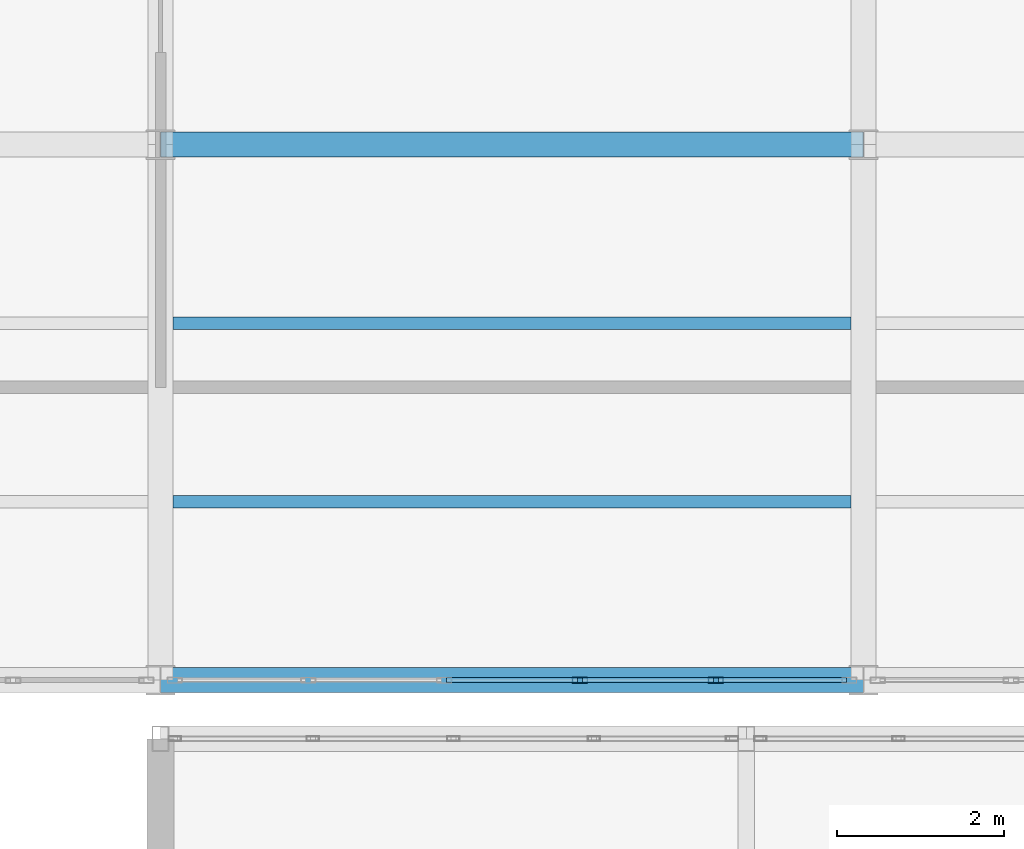
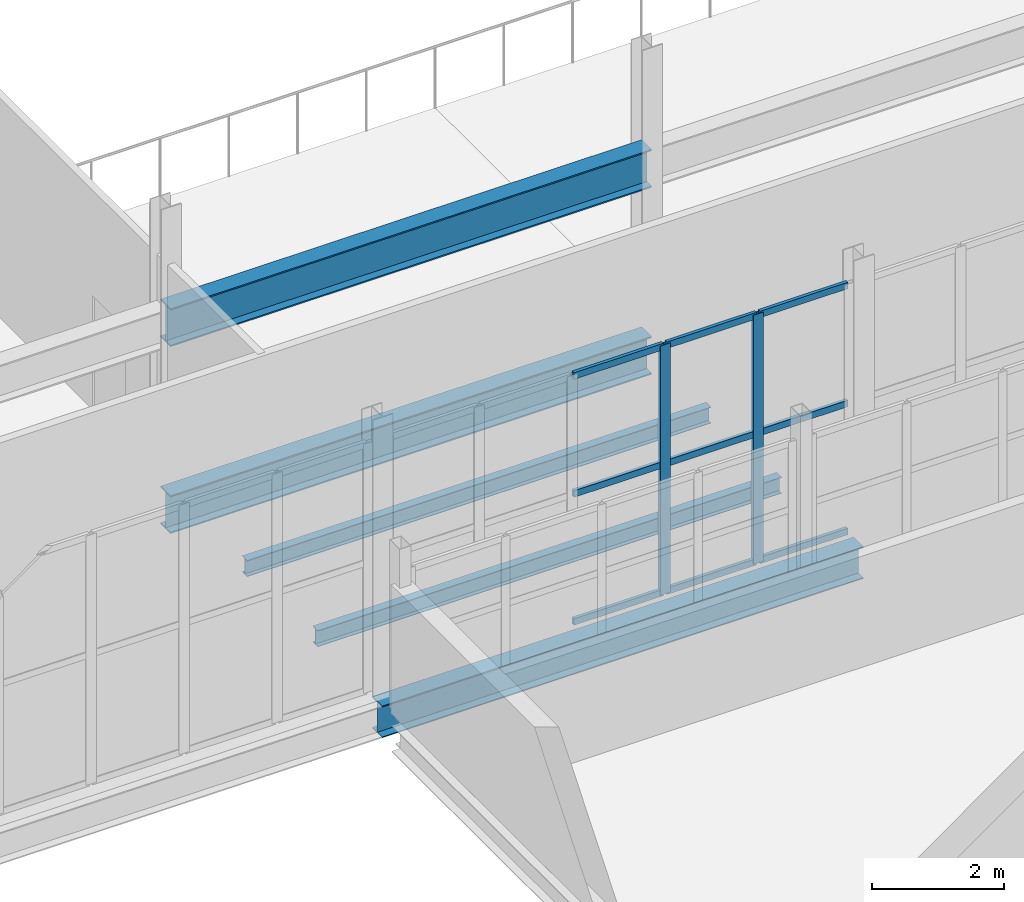
# One storey, part 73 of 218: 11 members, 5 beams, 1 element without a shape of its own.
"""IFC4 building model written with IfcOpenShell, lengths in metres."""

from ifc_helpers import new_model, si_unit, direction, frame, origin, origin_2d, place, context, subcontext, project, spatial, hollow_rectangle, i_section, extrude, material, material_profile, profile_set, type_object, element, aggregate, save


model = new_model("IFC4")

# Units and contexts
model_context = context("Model", 3, precision=1e-05, world=origin(), true_north=direction((0.0, 1.0)))
body_context = subcontext(model_context, "Body", "Model", "MODEL_VIEW")
ifc_project = project(units=[si_unit("LENGTHUNIT", "METRE"), si_unit("AREAUNIT", "SQUARE_METRE"), si_unit("VOLUMEUNIT", "CUBIC_METRE"), si_unit("PLANEANGLEUNIT", "RADIAN"), si_unit("MASSUNIT", "GRAM", prefix="KILO")], contexts=[model_context])

# Site, building, storey
site_placement = place(None, origin())
site = spatial("IfcSite", under=ifc_project, at=site_placement, CompositionType="ELEMENT")
building_placement = place(site_placement, origin())
building = spatial("IfcBuilding", under=site, at=building_placement, Name="Kazenagashi Tramway Depot", CompositionType="ELEMENT")
storey_placement = place(building_placement, frame((0.0, 0.0, 6.0)))
storey = spatial("IfcBuildingStorey", under=building, at=storey_placement, Name="L02", CompositionType="ELEMENT", Elevation=6.0)

# Beams
ifc_material_1 = material(Name="Steel SN490B", Category="steel")
ifc_material_profile_1 = material_profile(ifc_material_1, i_section(OverallWidth=0.3, OverallDepth=0.7, WebThickness=0.013, FlangeThickness=0.024, at=origin_2d()), Name="H-700x300x13x24")
ifc_profile_set_1 = profile_set([ifc_material_profile_1], Name="Steel SN490B")
beam_type_1 = type_object("IfcBeamType", Name="G-02", PredefinedType="BEAM", material=ifc_profile_set_1)
for number, where, z_axis, x_axis, name in (
    (1, (103.6, 22.9, -0.6), (1.0, 0.0, 0.0), (0.0, 1.0, 0.0), "Beam G-02 BM-1013"),
    (2, (103.6, 22.9, 2.85), (1.0, 0.0, 0.0), (0.0, 1.0, 0.0), "Beam G-02 BM-1156"),
):
    element("IfcBeam", number, at=place(storey_placement, frame(where, z_axis=z_axis, x_axis=x_axis)), inside=storey, type_object=beam_type_1, Name=name, PredefinedType="BEAM", context=body_context, shape_type="SweptSolid", body=[
        extrude(i_section(OverallWidth=0.3, OverallDepth=0.7, WebThickness=0.013, FlangeThickness=0.024, at=origin_2d()), origin(), (0.0, 0.0, 1.0), 8.4),
    ])
ifc_material_2 = material(Name="Steel SN400B", Category="steel")
ifc_material_profile_2 = material_profile(ifc_material_2, i_section(OverallWidth=0.15, OverallDepth=0.3, WebThickness=0.0065, FlangeThickness=0.009, at=origin_2d()), Name="H-300x150x6.5x9")
ifc_profile_set_2 = profile_set([ifc_material_profile_2], Name="Steel SN400B")
beam_type_2 = type_object("IfcBeamType", Name="J-02", PredefinedType="JOIST", material=ifc_profile_set_2)
for number, where, z_axis, x_axis, name in (
    (3, (103.75, 18.633, -0.4), (1.0, 0.0, 0.0), (0.0, 1.0, 0.0), "Beam J-02 BM-1072"),
    (4, (103.75, 20.767, -0.4), (1.0, 0.0, 0.0), (0.0, 1.0, 0.0), "Beam J-02 BM-1073"),
):
    element("IfcBeam", number, at=place(storey_placement, frame(where, z_axis=z_axis, x_axis=x_axis)), inside=storey, type_object=beam_type_2, Name=name, PredefinedType="JOIST", context=body_context, shape_type="SweptSolid", body=[
        extrude(i_section(OverallWidth=0.15, OverallDepth=0.3, WebThickness=0.0065, FlangeThickness=0.009, at=origin_2d()), origin(), (0.0, 0.0, 1.0), 8.1),
    ])

# Curtain wall, members
ifc_material_3 = material(Name="Anodised Aluminium and Low-E Glazing", Category="aluminium")
curtain_wall_type = type_object("IfcCurtainWallType", Name="CW-20", PredefinedType="USERDEFINED", material=ifc_material_3)
curtain_wall_placement = place(storey_placement, origin())
curtain_wall = element("IfcCurtainWall", 5, at=curtain_wall_placement, inside=storey, type_object=curtain_wall_type, Name="Industrial Glazed Screen CW-20 CW-0102", ObjectType="GLAZED SCREEN", PredefinedType="USERDEFINED")
ifc_material_4 = material(Name="Anodised Aluminium", Category="aluminium")
ifc_material_profile_3 = material_profile(ifc_material_4, hollow_rectangle(XDim=0.07, YDim=0.18, WallThickness=0.005, at=origin_2d()), Name="RHS-180x70x5")
ifc_profile_set_3 = profile_set([ifc_material_profile_3], Name="Anodised Aluminium")
member_type_1 = type_object("IfcMemberType", Name="ML-02", PredefinedType="MULLION", material=ifc_profile_set_3)
member_1_placement = place(storey_placement, frame((108.612, 16.5, 0.0), z_axis=(0.0, 0.0, 1.0), x_axis=(0.0, 1.0, 0.0)))
member_1 = element("IfcMember", 6, at=member_1_placement, type_object=member_type_1, Name="CW-20 mullion 4", PredefinedType="MULLION", context=body_context, shape_type="SweptSolid", body=[
    extrude(hollow_rectangle(XDim=0.07, YDim=0.18, WallThickness=0.005, at=origin_2d()), origin(), (0.0, 0.0, 1.0), 4.6),
])
member_2_placement = place(storey_placement, frame((110.236, 16.5, 0.0), z_axis=(0.0, 0.0, 1.0), x_axis=(0.0, 1.0, 0.0)))
member_2 = element("IfcMember", 7, at=member_2_placement, type_object=member_type_1, Name="CW-20 mullion 5", PredefinedType="MULLION", context=body_context, shape_type="SweptSolid", body=[
    extrude(hollow_rectangle(XDim=0.07, YDim=0.18, WallThickness=0.005, at=origin_2d()), origin(), (0.0, 0.0, 1.0), 4.6),
])

# Beam
ifc_material_profile_4 = material_profile(ifc_material_1, i_section(OverallWidth=0.3, OverallDepth=0.588, WebThickness=0.012, FlangeThickness=0.02, at=origin_2d()), Name="H-588x300x12x20")
ifc_profile_set_4 = profile_set([ifc_material_profile_4], Name="Steel SN490B")
beam_type_3 = type_object("IfcBeamType", Name="SP-01", PredefinedType="SPANDREL", material=ifc_profile_set_4)
beam_placement = place(storey_placement, frame((103.6, 16.5, -0.544), z_axis=(1.0, 0.0, 0.0), x_axis=(0.0, 1.0, 0.0)))
element("IfcBeam", 8, at=beam_placement, inside=storey, type_object=beam_type_3, Name="Beam SP-01 BM-1001", PredefinedType="SPANDREL", context=body_context, shape_type="SweptSolid", body=[
    extrude(i_section(OverallWidth=0.3, OverallDepth=0.588, WebThickness=0.012, FlangeThickness=0.02, at=origin_2d()), origin(), (0.0, 0.0, 1.0), 8.4),
])

# Member
ifc_material_profile_5 = material_profile(ifc_material_4, hollow_rectangle(XDim=0.06, YDim=0.12, WallThickness=0.004, at=origin_2d()), Name="RHS-120x60x4")
ifc_profile_set_5 = profile_set([ifc_material_profile_5], Name="Anodised Aluminium")
member_type_2 = type_object("IfcMemberType", Name="TR-01", PredefinedType="USERDEFINED", material=ifc_profile_set_5)
member_3_placement = place(storey_placement, frame((107.018, 16.5, 0.03), z_axis=(1.0, 0.0, 0.0), x_axis=(0.0, 1.0, 0.0)))
member_3 = element("IfcMember", 9, at=member_3_placement, type_object=member_type_2, Name="CW-20 transom 3.1", ObjectType="TRANSOM", PredefinedType="USERDEFINED", context=body_context, shape_type="SweptSolid", body=[
    extrude(hollow_rectangle(XDim=0.06, YDim=0.12, WallThickness=0.004, at=origin_2d()), origin(), (0.0, 0.0, 1.0), 1.564),
])

member_4_placement = place(storey_placement, frame((107.018, 16.5, 2.392), z_axis=(1.0, 0.0, 0.0), x_axis=(0.0, 1.0, 0.0)))
member_4 = element("IfcMember", 10, at=member_4_placement, type_object=member_type_2, Name="CW-20 transom 3.2", ObjectType="TRANSOM", PredefinedType="USERDEFINED", context=body_context, shape_type="SweptSolid", body=[
    extrude(hollow_rectangle(XDim=0.06, YDim=0.12, WallThickness=0.004, at=origin_2d()), origin(), (0.0, 0.0, 1.0), 1.564),
])

member_5_placement = place(storey_placement, frame((107.018, 16.5, 4.57), z_axis=(1.0, 0.0, 0.0), x_axis=(0.0, 1.0, 0.0)))
member_5 = element("IfcMember", 11, at=member_5_placement, type_object=member_type_2, Name="CW-20 transom 3.3", ObjectType="TRANSOM", PredefinedType="USERDEFINED", context=body_context, shape_type="SweptSolid", body=[
    extrude(hollow_rectangle(XDim=0.06, YDim=0.12, WallThickness=0.004, at=origin_2d()), origin(), (0.0, 0.0, 1.0), 1.564),
])

member_6_placement = place(storey_placement, frame((108.642, 16.5, 0.03), z_axis=(1.0, 0.0, 0.0), x_axis=(0.0, 1.0, 0.0)))
member_6 = element("IfcMember", 12, at=member_6_placement, type_object=member_type_2, Name="CW-20 transom 4.1", ObjectType="TRANSOM", PredefinedType="USERDEFINED", context=body_context, shape_type="SweptSolid", body=[
    extrude(hollow_rectangle(XDim=0.06, YDim=0.12, WallThickness=0.004, at=origin_2d()), origin(), (0.0, 0.0, 1.0), 1.564),
])

member_7_placement = place(storey_placement, frame((108.642, 16.5, 2.392), z_axis=(1.0, 0.0, 0.0), x_axis=(0.0, 1.0, 0.0)))
member_7 = element("IfcMember", 13, at=member_7_placement, type_object=member_type_2, Name="CW-20 transom 4.2", ObjectType="TRANSOM", PredefinedType="USERDEFINED", context=body_context, shape_type="SweptSolid", body=[
    extrude(hollow_rectangle(XDim=0.06, YDim=0.12, WallThickness=0.004, at=origin_2d()), origin(), (0.0, 0.0, 1.0), 1.564),
])

member_8_placement = place(storey_placement, frame((108.642, 16.5, 4.57), z_axis=(1.0, 0.0, 0.0), x_axis=(0.0, 1.0, 0.0)))
member_8 = element("IfcMember", 14, at=member_8_placement, type_object=member_type_2, Name="CW-20 transom 4.3", ObjectType="TRANSOM", PredefinedType="USERDEFINED", context=body_context, shape_type="SweptSolid", body=[
    extrude(hollow_rectangle(XDim=0.06, YDim=0.12, WallThickness=0.004, at=origin_2d()), origin(), (0.0, 0.0, 1.0), 1.564),
])

member_9_placement = place(storey_placement, frame((110.266, 16.5, 0.03), z_axis=(1.0, 0.0, 0.0), x_axis=(0.0, 1.0, 0.0)))
member_9 = element("IfcMember", 15, at=member_9_placement, type_object=member_type_2, Name="CW-20 transom 5.1", ObjectType="TRANSOM", PredefinedType="USERDEFINED", context=body_context, shape_type="SweptSolid", body=[
    extrude(hollow_rectangle(XDim=0.06, YDim=0.12, WallThickness=0.004, at=origin_2d()), origin(), (0.0, 0.0, 1.0), 1.534),
])

member_10_placement = place(storey_placement, frame((110.266, 16.5, 2.392), z_axis=(1.0, 0.0, 0.0), x_axis=(0.0, 1.0, 0.0)))
member_10 = element("IfcMember", 16, at=member_10_placement, type_object=member_type_2, Name="CW-20 transom 5.2", ObjectType="TRANSOM", PredefinedType="USERDEFINED", context=body_context, shape_type="SweptSolid", body=[
    extrude(hollow_rectangle(XDim=0.06, YDim=0.12, WallThickness=0.004, at=origin_2d()), origin(), (0.0, 0.0, 1.0), 1.534),
])

member_11_placement = place(storey_placement, frame((110.266, 16.5, 4.57), z_axis=(1.0, 0.0, 0.0), x_axis=(0.0, 1.0, 0.0)))
member_11 = element("IfcMember", 17, at=member_11_placement, type_object=member_type_2, Name="CW-20 transom 5.3", ObjectType="TRANSOM", PredefinedType="USERDEFINED", context=body_context, shape_type="SweptSolid", body=[
    extrude(hollow_rectangle(XDim=0.06, YDim=0.12, WallThickness=0.004, at=origin_2d()), origin(), (0.0, 0.0, 1.0), 1.534),
])

aggregate(curtain_wall, [member_1, member_2, member_3, member_4, member_5, member_6, member_7, member_8, member_9, member_10, member_11])

save(model, "model.ifc")
